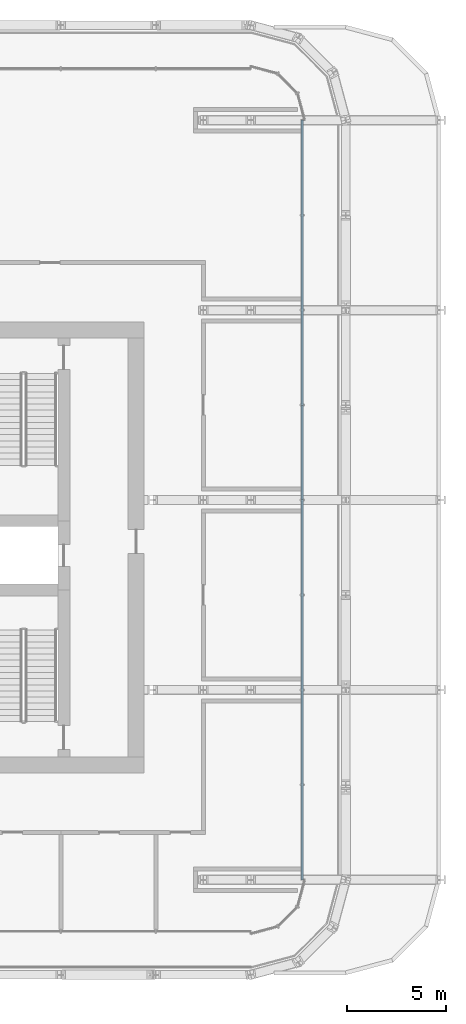
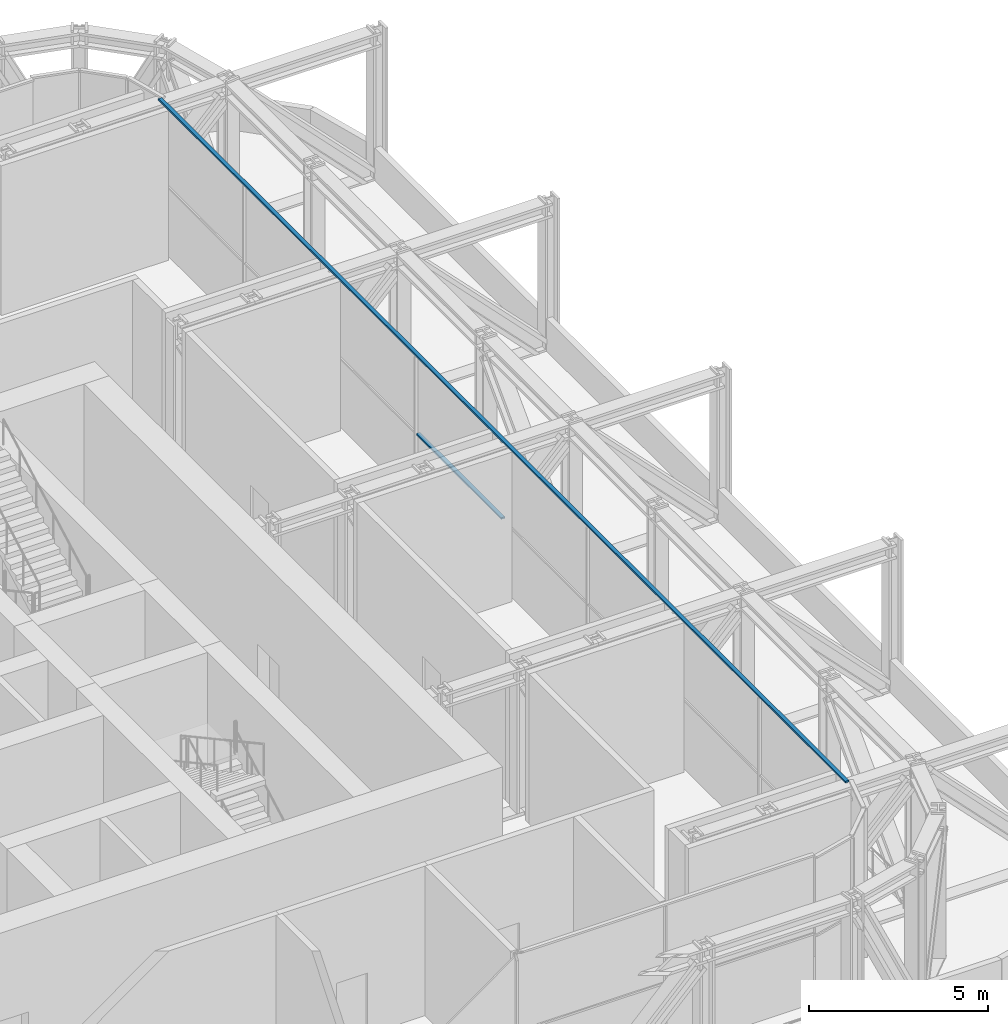
# One storey, part 9 of 25: 2 members, 1 element without a shape of its own.
"""IFC4 building model written with IfcOpenShell, lengths in metres."""

from ifc_helpers import new_model, si_unit, direction, frame, origin, origin_2d, place, context, subcontext, project, spatial, rectangle, extrude, material, layer, layer_set, material_profile, profile_set, type_object, element, aggregate, save


model = new_model("IFC4")

# Units and contexts
model_context = context("Model", 3, precision=1e-05, world=origin(), true_north=direction((0.0, 1.0)))
body_context = subcontext(model_context, "Body", "Model", "MODEL_VIEW")
ifc_project = project(units=[si_unit("LENGTHUNIT", "METRE"), si_unit("AREAUNIT", "SQUARE_METRE"), si_unit("VOLUMEUNIT", "CUBIC_METRE"), si_unit("PLANEANGLEUNIT", "RADIAN"), si_unit("MASSUNIT", "GRAM", prefix="KILO")], contexts=[model_context])

# Site, building, storey
site_placement = place(None, origin())
site = spatial("IfcSite", under=ifc_project, at=site_placement, CompositionType="ELEMENT")
building_placement = place(site_placement, origin())
building = spatial("IfcBuilding", under=site, at=building_placement, Name="Madar Terraces", CompositionType="ELEMENT")
storey_placement = place(building_placement, frame((0.0, 0.0, 113.699951171875)))
storey = spatial("IfcBuildingStorey", under=building, at=storey_placement, Name="L29", CompositionType="ELEMENT", Elevation=113.699951171875)

# Curtain wall, members
ifc_material_1 = material(Name="Glass, ceramic frit dark grey, with black aluminium frame", Category="aluminium")
ifc_layer = layer(ifc_material_1, 0.199951171875)
ifc_layer_set = layer_set([ifc_layer], Name="Facade curtain wall, tall glazing")
curtain_wall_type = type_object("IfcCurtainWallType", Name="Facade curtain wall, tall glazing", PredefinedType="NOTDEFINED", material=ifc_layer_set)
curtain_wall_placement = place(storey_placement, origin())
curtain_wall = element("IfcCurtainWall", 1, at=curtain_wall_placement, inside=storey, type_object=curtain_wall_type, Name="Outer skin curtain wall east bay 1", PredefinedType="NOTDEFINED")
ifc_material_2 = material(Name="Aluminium, black anodised", Category="aluminium")
ifc_material_profile = material_profile(ifc_material_2, rectangle(XDim=0.1201171875, YDim=0.06005859375, at=origin_2d()), Name="Facade transom 60x120")
ifc_profile_set = profile_set([ifc_material_profile], Name="Aluminium, black anodised")
member_type = type_object("IfcMemberType", Name="Facade transom 60x120", PredefinedType="USERDEFINED", material=ifc_profile_set)
member_1_placement = place(storey_placement, frame((55.39990234375, 9.60009765625, 5.070068359375), z_axis=(0.0, 1.0, 0.0), x_axis=(-1.0, 0.0, 0.0)))
member_1 = element("IfcMember", 2, at=member_1_placement, type_object=member_type, Name="Transom 1", ObjectType="TRANSOM", PredefinedType="USERDEFINED", context=body_context, shape_type="SweptSolid", body=[
    extrude(rectangle(XDim=0.1201171875, YDim=0.06005859375, at=origin_2d()), origin(), (0.0, 0.0, 1.0), 38.39990234375),
])
member_2_placement = place(storey_placement, frame((55.39990234375, 28.830078125, 2.400146484375), z_axis=(0.0, 1.0, 0.0), x_axis=(-1.0, 0.0, 0.0)))
member_2 = element("IfcMember", 3, at=member_2_placement, type_object=member_type, Name="Transom 6", ObjectType="TRANSOM", PredefinedType="USERDEFINED", context=body_context, shape_type="SweptSolid", body=[
    extrude(rectangle(XDim=0.1201171875, YDim=0.06005859375, at=origin_2d()), origin(), (0.0, 0.0, 1.0), 4.739990234375),
])
aggregate(curtain_wall, [member_1, member_2])

save(model, "model.ifc")
